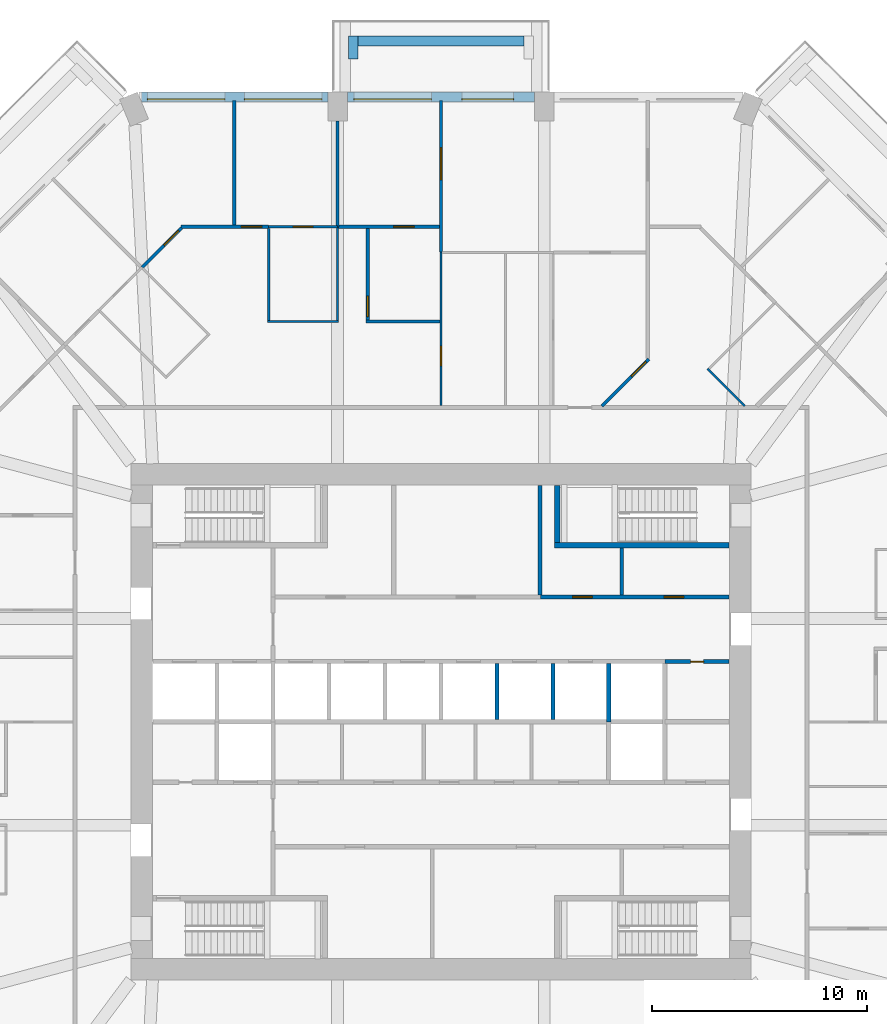
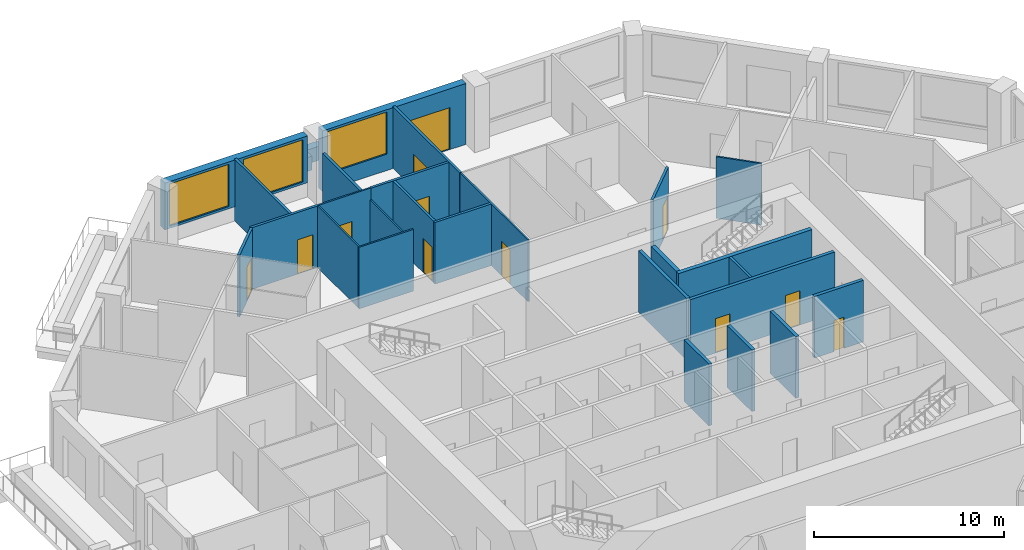
# One storey, part 9 of 13: 28 walls, 12 doors, 3 windows, 15 openings.
"""IFC4 building model written with IfcOpenShell, lengths in metres."""

from ifc_helpers import new_model, si_unit, direction, frame, frame_2d, origin, place, context, subcontext, project, spatial, rectangle, extrude, material, layer, layer_set, type_object, element, fill, save


model = new_model("IFC4")

# Units and contexts
model_context = context("Model", 3, precision=1e-05, world=origin(), true_north=direction((0.0, 1.0)))
body_context = subcontext(model_context, "Body", "Model", "MODEL_VIEW")
ifc_project = project(units=[si_unit("LENGTHUNIT", "METRE"), si_unit("AREAUNIT", "SQUARE_METRE"), si_unit("VOLUMEUNIT", "CUBIC_METRE"), si_unit("PLANEANGLEUNIT", "RADIAN"), si_unit("MASSUNIT", "GRAM", prefix="KILO")], contexts=[model_context])

# Site, building, storey
site_placement = place(None, origin())
site = spatial("IfcSite", under=ifc_project, at=site_placement, CompositionType="ELEMENT")
building_placement = place(site_placement, origin())
building = spatial("IfcBuilding", under=site, at=building_placement, Name="Msitu Wima Residences", CompositionType="ELEMENT")
storey_placement = place(building_placement, frame((0.0, 0.0, 29.699951171875)))
storey = spatial("IfcBuildingStorey", under=building, at=storey_placement, Name="L06", CompositionType="ELEMENT", Elevation=29.699951171875)

# Walls
ifc_material_1 = material(Name="Facing brick")
ifc_layer_1 = layer(ifc_material_1, 0.06494140625, Name="Facing brick")
ifc_material_2 = material(Name="Concrete C40/50", Category="concrete")
ifc_layer_2 = layer(ifc_material_2, 0.156005859375, Name="Concrete C40/50")
ifc_material_3 = material(Name="Waterproofing membrane")
ifc_layer_3 = layer(ifc_material_3, 0.00390625, Name="Waterproofing membrane")
ifc_material_4 = material(Name="Planting soil and planting")
ifc_layer_4 = layer(ifc_material_4, 0.22509765625, Name="Planting soil and planting")
ifc_layer_set_1 = layer_set([ifc_layer_1, ifc_layer_2, ifc_layer_3, ifc_layer_4], Name="Concrete C40/50")
wall_type_1 = type_object("IfcWallType", Name="Balcony planter PLANTER PL450", PredefinedType="USERDEFINED", material=ifc_layer_set_1)
wall_1_placement = place(storey_placement, frame((3.85009765625, 31.625, 0.0), z_axis=(0.0, 0.0, 1.0), x_axis=(-1.0, 0.0, 0.0)))
element("IfcWall", 1, at=wall_1_placement, inside=storey, type_object=wall_type_1, Name="Balcony planter N1 L06", ObjectType="PLANTER", PredefinedType="USERDEFINED", context=body_context, shape_type="SweptSolid", body=[
    extrude(rectangle(XDim=7.7001953125, YDim=0.449951171875, at=frame_2d((3.85009765625, 0.0))), origin(), (0.0, 0.0, 1.0), 0.900146484375),
])
wall_2_placement = place(storey_placement, frame((-4.074951171875, 30.800048828125, 0.0), z_axis=(0.0, 0.0, 1.0), x_axis=(0.0, 1.0, 0.0)))
element("IfcWall", 2, at=wall_2_placement, inside=storey, type_object=wall_type_1, Name="Balcony planter N1 L06", ObjectType="PLANTER", PredefinedType="USERDEFINED", context=body_context, shape_type="SweptSolid", body=[
    extrude(rectangle(XDim=1.050048828125, YDim=0.449951171875, at=frame_2d((0.52490234375, 0.0))), origin(), (0.0, 0.0, 1.0), 0.900146484375),
])

# Wall, openings, door, window
ifc_material_5 = material(Name="Brick (red buff mix)", Category="masonry")
ifc_layer_5 = layer(ifc_material_5, 0.449951171875)
ifc_layer_set_2 = layer_set([ifc_layer_5], Name="Brick (red buff mix)")
wall_type_2 = type_object("IfcWallType", Name="Brick infill wall BW450", PredefinedType="SOLIDWALL", material=ifc_layer_set_2)
wall_3_placement = place(storey_placement, frame((4.35009765625, 29.02490234375, 0.0), z_axis=(0.0, 0.0, 1.0), x_axis=(-1.0, 0.0, 0.0)))
wall_3 = element("IfcWall", 3, at=wall_3_placement, inside=storey, type_object=wall_type_2, Name="Brick infill wall L06 N1", PredefinedType="SOLIDWALL", context=body_context, shape_type="SweptSolid", body=[
    extrude(rectangle(XDim=8.7001953125, YDim=0.449951171875, at=frame_2d((4.35009765625, 0.0))), origin(), (0.0, 0.0, 1.0), 3.900146484375),
])
opening_1_placement = place(wall_3_placement, frame((0.97509765625, 0.0, 0.0)))
opening_1 = element("IfcOpeningElement", 4, at=opening_1_placement, cuts=wall_3, Name="Opening D05-07.003", PredefinedType="OPENING", context=body_context, shape_type="SweptSolid", body=[
    extrude(rectangle(XDim=2.39990234375, YDim=2.699951171875, at=frame_2d((1.199951171875, 1.35009765625))), frame((0.0, 0.23486328125, 0.0), z_axis=(0.0, -1.0, 0.0), x_axis=(1.0, 0.0, 0.0)), (0.0, 0.0, 1.0), 0.469970703125),
])
opening_2_placement = place(wall_3_placement, frame((4.800048828125, 0.0, 1.050048828125)))
opening_2 = element("IfcOpeningElement", 5, at=opening_2_placement, cuts=wall_3, Name="Opening W05-07.007", PredefinedType="OPENING", context=body_context, shape_type="SweptSolid", body=[
    extrude(rectangle(XDim=3.60009765625, YDim=2.699951171875, at=frame_2d((1.800048828125, 1.35009765625))), frame((0.0, 0.23486328125, 0.0), z_axis=(0.0, -1.0, 0.0), x_axis=(1.0, 0.0, 0.0)), (0.0, 0.0, 1.0), 0.469970703125),
])
ifc_material_6 = material(Name="Anodised aluminium, bronze finish, clear low-emissivity double glazing", Category="aluminium")
door_type_1 = type_object("IfcDoorType", Name="Balcony door D2400x2700", OperationType="SLIDING_TO_LEFT", PredefinedType="DOOR", material=ifc_material_6)
door_1_placement = place(opening_1_placement, origin())
door_1 = element("IfcDoor", 6, at=door_1_placement, inside=storey, type_object=door_type_1, Name="Balcony door L06 N1", OperationType="SINGLE_SWING_LEFT", OverallHeight=2.699951171875, OverallWidth=2.39990234375, PredefinedType="DOOR", context=body_context, shape_type="SweptSolid", body=[
    extrude(rectangle(XDim=2.39990234375, YDim=2.699951171875, at=frame_2d((1.199951171875, 1.35009765625))), frame((0.0, 0.1298828125, 0.0), z_axis=(0.0, -1.0, 0.0), x_axis=(1.0, 0.0, 0.0)), (0.0, 0.0, 1.0), 0.050048828125),
])
fill(opening_1, door_1)
window_type = type_object("IfcWindowType", Name="Window W3600x2700", PartitioningType="DOUBLE_PANEL_VERTICAL", PredefinedType="WINDOW", material=ifc_material_6)
window_1_placement = place(opening_2_placement, origin())
window_1 = element("IfcWindow", 7, at=window_1_placement, inside=storey, type_object=window_type, Name="Window L06 N1.2", OverallHeight=2.699951171875, OverallWidth=3.60009765625, PartitioningType="SINGLE_PANEL", PredefinedType="WINDOW", context=body_context, shape_type="SweptSolid", body=[
    extrude(rectangle(XDim=3.60009765625, YDim=2.699951171875, at=frame_2d((1.800048828125, 1.35009765625))), frame((0.0, 0.135009765625, 0.0), z_axis=(0.0, -1.0, 0.0), x_axis=(1.0, 0.0, 0.0)), (0.0, 0.0, 1.0), 0.06005859375),
])
fill(opening_2, window_1)

# Wall, openings, windows
wall_4_placement = place(storey_placement, frame((-5.25, 29.02490234375, 0.900146484375), z_axis=(0.0, 0.0, 1.0), x_axis=(-1.0, 0.0, 0.0)))
wall_4 = element("IfcWall", 8, at=wall_4_placement, inside=storey, type_object=wall_type_2, Name="Brick infill wall L06 N2", PredefinedType="SOLIDWALL", context=body_context, shape_type="SweptSolid", body=[
    extrude(rectangle(XDim=8.662841796875, YDim=0.449951171875, at=frame_2d((4.33154296875, 0.0))), origin(), (0.0, 0.0, 1.0), 3.0),
])
opening_3_placement = place(wall_4_placement, frame((0.281494140625, 0.0, 0.14990234375)))
opening_3 = element("IfcOpeningElement", 9, at=opening_3_placement, cuts=wall_4, Name="Opening W05-07.008", PredefinedType="OPENING", context=body_context, shape_type="SweptSolid", body=[
    extrude(rectangle(XDim=3.60009765625, YDim=2.699951171875, at=frame_2d((1.800048828125, 1.35009765625))), frame((0.0, 0.23486328125, 0.0), z_axis=(0.0, -1.0, 0.0), x_axis=(1.0, 0.0, 0.0)), (0.0, 0.0, 1.0), 0.469970703125),
])
opening_4_placement = place(wall_4_placement, frame((4.781494140625, 0.0, 0.14990234375)))
opening_4 = element("IfcOpeningElement", 10, at=opening_4_placement, cuts=wall_4, Name="Opening W05-07.009", PredefinedType="OPENING", context=body_context, shape_type="SweptSolid", body=[
    extrude(rectangle(XDim=3.60009765625, YDim=2.699951171875, at=frame_2d((1.800048828125, 1.35009765625))), frame((0.0, 0.23486328125, 0.0), z_axis=(0.0, -1.0, 0.0), x_axis=(1.0, 0.0, 0.0)), (0.0, 0.0, 1.0), 0.469970703125),
])
window_2_placement = place(opening_3_placement, origin())
window_2 = element("IfcWindow", 11, at=window_2_placement, inside=storey, type_object=window_type, Name="Window L06 N2.1", OverallHeight=2.699951171875, OverallWidth=3.60009765625, PartitioningType="SINGLE_PANEL", PredefinedType="WINDOW", context=body_context, shape_type="SweptSolid", body=[
    extrude(rectangle(XDim=3.60009765625, YDim=2.699951171875, at=frame_2d((1.800048828125, 1.35009765625))), frame((0.0, 0.135009765625, 0.0), z_axis=(0.0, -1.0, 0.0), x_axis=(1.0, 0.0, 0.0)), (0.0, 0.0, 1.0), 0.06005859375),
])
fill(opening_3, window_2)
window_3_placement = place(opening_4_placement, origin())
window_3 = element("IfcWindow", 12, at=window_3_placement, inside=storey, type_object=window_type, Name="Window L06 N2.2", OverallHeight=2.699951171875, OverallWidth=3.60009765625, PartitioningType="SINGLE_PANEL", PredefinedType="WINDOW", context=body_context, shape_type="SweptSolid", body=[
    extrude(rectangle(XDim=3.60009765625, YDim=2.699951171875, at=frame_2d((1.800048828125, 1.35009765625))), frame((0.0, 0.135009765625, 0.0), z_axis=(0.0, -1.0, 0.0), x_axis=(1.0, 0.0, 0.0)), (0.0, 0.0, 1.0), 0.06005859375),
])
fill(opening_4, window_3)

# Wall, openings, doors
ifc_material_7 = material(Name="Plaster")
ifc_layer_6 = layer(ifc_material_7, 0.011962890625, Name="Plaster")
ifc_material_8 = material(Name="Concrete blockwork", Category="masonry")
ifc_layer_7 = layer(ifc_material_8, 0.176025390625, Name="Concrete blockwork")
ifc_layer_8 = layer(ifc_material_7, 0.011962890625, Name="Plaster")
ifc_layer_set_3 = layer_set([ifc_layer_6, ifc_layer_7, ifc_layer_8], Name="Concrete blockwork")
wall_type_3 = type_object("IfcWallType", Name="Corridor wall FW200", PredefinedType="PARTITIONING", material=ifc_layer_set_3)
wall_5_placement = place(storey_placement, frame((4.6201171875, 5.800048828125, 0.0), z_axis=(0.0, 0.0, 1.0), x_axis=(1.0, 0.0, 0.0)))
wall_5 = element("IfcWall", 13, at=wall_5_placement, inside=storey, type_object=wall_type_3, Name="Corridor wall", PredefinedType="PARTITIONING", context=body_context, shape_type="SweptSolid", body=[
    extrude(rectangle(XDim=8.75, YDim=0.199951171875, at=frame_2d((4.375, 0.0))), origin(), (0.0, 0.0, 1.0), 3.949951171875),
])
opening_5_placement = place(wall_5_placement, frame((1.5, 0.0, 0.0)))
opening_5 = element("IfcOpeningElement", 14, at=opening_5_placement, cuts=wall_5, Name="Opening D05-07.022", PredefinedType="OPENING", context=body_context, shape_type="SweptSolid", body=[
    extrude(rectangle(XDim=0.89990234375, YDim=2.199951171875, at=frame_2d((0.449951171875, 1.10009765625))), frame((0.0, 0.10986328125, 0.0), z_axis=(0.0, -1.0, 0.0), x_axis=(1.0, 0.0, 0.0)), (0.0, 0.0, 1.0), 0.219970703125),
])
opening_6_placement = place(wall_5_placement, frame((5.75, 0.0, 0.0)))
opening_6 = element("IfcOpeningElement", 15, at=opening_6_placement, cuts=wall_5, Name="Opening D05-07.023", PredefinedType="OPENING", context=body_context, shape_type="SweptSolid", body=[
    extrude(rectangle(XDim=0.89990234375, YDim=2.199951171875, at=frame_2d((0.449951171875, 1.10009765625))), frame((0.0, 0.10986328125, 0.0), z_axis=(0.0, -1.0, 0.0), x_axis=(1.0, 0.0, 0.0)), (0.0, 0.0, 1.0), 0.219970703125),
])
ifc_material_9 = material(Name="Timber flush door", Category="wood")
door_type_2 = type_object("IfcDoorType", Name="Service door D05 900x2200", OperationType="SINGLE_SWING_LEFT", PredefinedType="DOOR", material=ifc_material_9)
door_2_placement = place(opening_5_placement, origin())
door_2 = element("IfcDoor", 16, at=door_2_placement, inside=storey, type_object=door_type_2, Name="Service door", OperationType="SINGLE_SWING_RIGHT", OverallHeight=2.199951171875, OverallWidth=0.89990234375, PredefinedType="DOOR", context=body_context, shape_type="SweptSolid", body=[
    extrude(rectangle(XDim=0.89990234375, YDim=2.199951171875, at=frame_2d((0.449951171875, 1.10009765625))), frame((0.0, 0.02490234375, 0.0), z_axis=(0.0, -1.0, 0.0), x_axis=(1.0, 0.0, 0.0)), (0.0, 0.0, 1.0), 0.050048828125),
])
fill(opening_5, door_2)
door_3_placement = place(opening_6_placement, origin())
door_3 = element("IfcDoor", 17, at=door_3_placement, inside=storey, type_object=door_type_2, Name="Service door", OperationType="SINGLE_SWING_LEFT", OverallHeight=2.199951171875, OverallWidth=0.89990234375, PredefinedType="DOOR", context=body_context, shape_type="SweptSolid", body=[
    extrude(rectangle(XDim=0.89990234375, YDim=2.199951171875, at=frame_2d((0.449951171875, 1.10009765625))), frame((0.0, 0.02490234375, 0.0), z_axis=(0.0, -1.0, 0.0), x_axis=(1.0, 0.0, 0.0)), (0.0, 0.0, 1.0), 0.050048828125),
])
fill(opening_6, door_3)

# Wall, opening, door
ifc_layer_9 = layer(ifc_material_7, 0.011962890625, Name="Plaster")
ifc_layer_10 = layer(ifc_material_8, 0.1259765625, Name="Concrete blockwork")
ifc_layer_11 = layer(ifc_material_7, 0.011962890625, Name="Plaster")
ifc_layer_set_4 = layer_set([ifc_layer_9, ifc_layer_10, ifc_layer_11], Name="Concrete blockwork")
wall_type_4 = type_object("IfcWallType", Name="Partition PW150", PredefinedType="PARTITIONING", material=ifc_layer_set_4)
wall_6_placement = place(storey_placement, frame((-13.884521484375, 21.113037109375, 0.0), z_axis=(0.0, 0.0, 1.0), x_axis=(0.707106781187, 0.707106781187, 0.0)))
wall_6 = element("IfcWall", 18, at=wall_6_placement, inside=storey, type_object=wall_type_4, Name="Partition", PredefinedType="PARTITIONING", context=body_context, shape_type="SweptSolid", body=[
    extrude(rectangle(XDim=2.59375, YDim=0.14990234375, at=frame_2d((1.296875, 0.0))), origin(), (0.0, 0.0, 1.0), 3.949951171875),
])
opening_7_placement = place(wall_6_placement, frame((1.449951171875, 0.0, 0.0)))
opening_7 = element("IfcOpeningElement", 19, at=opening_7_placement, cuts=wall_6, Name="Opening D05-07.062", PredefinedType="OPENING", context=body_context, shape_type="SweptSolid", body=[
    extrude(rectangle(XDim=0.949951171875, YDim=2.199951171875, at=frame_2d((0.47509765625, 1.10009765625))), frame((0.0, 0.0849609375, 0.0), z_axis=(0.0, -1.0, 0.0), x_axis=(1.0, 0.0, 0.0)), (0.0, 0.0, 1.0), 0.169921875),
])
door_type_3 = type_object("IfcDoorType", Name="Room door D12 950x2200", OperationType="SINGLE_SWING_LEFT", PredefinedType="DOOR", material=ifc_material_9)
door_4_placement = place(opening_7_placement, origin())
door_4 = element("IfcDoor", 20, at=door_4_placement, inside=storey, type_object=door_type_3, Name="Room door", OperationType="SINGLE_SWING_LEFT", OverallHeight=2.199951171875, OverallWidth=0.949951171875, PredefinedType="DOOR", context=body_context, shape_type="SweptSolid", body=[
    extrude(rectangle(XDim=0.949951171875, YDim=2.199951171875, at=frame_2d((0.47509765625, 1.10009765625))), frame((0.0, 0.02490234375, 0.0), z_axis=(0.0, -1.0, 0.0), x_axis=(1.0, 0.0, 0.0)), (0.0, 0.0, 1.0), 0.050048828125),
])
fill(opening_7, door_4)

wall_7_placement = place(storey_placement, frame((-12.072509765625, 23.0, 0.0), z_axis=(0.0, 0.0, 1.0), x_axis=(1.0, 0.0, 0.0)))
wall_7 = element("IfcWall", 21, at=wall_7_placement, inside=storey, type_object=wall_type_4, Name="Partition", PredefinedType="PARTITIONING", context=body_context, shape_type="SweptSolid", body=[
    extrude(rectangle(XDim=4.072509765625, YDim=0.14990234375, at=frame_2d((2.0361328125, 0.0))), origin(), (0.0, 0.0, 1.0), 3.949951171875),
])
opening_8_placement = place(wall_7_placement, frame((2.800048828125, 0.0, 0.0)))
opening_8 = element("IfcOpeningElement", 22, at=opening_8_placement, cuts=wall_7, Name="Opening D05-07.059", PredefinedType="OPENING", context=body_context, shape_type="SweptSolid", body=[
    extrude(rectangle(XDim=0.949951171875, YDim=2.199951171875, at=frame_2d((0.47509765625, 1.10009765625))), frame((0.0, 0.0849609375, 0.0), z_axis=(0.0, -1.0, 0.0), x_axis=(1.0, 0.0, 0.0)), (0.0, 0.0, 1.0), 0.169921875),
])
door_5_placement = place(opening_8_placement, origin())
door_5 = element("IfcDoor", 23, at=door_5_placement, inside=storey, type_object=door_type_3, Name="Room door", OperationType="SINGLE_SWING_LEFT", OverallHeight=2.199951171875, OverallWidth=0.949951171875, PredefinedType="DOOR", context=body_context, shape_type="SweptSolid", body=[
    extrude(rectangle(XDim=0.949951171875, YDim=2.199951171875, at=frame_2d((0.47509765625, 1.10009765625))), frame((0.0, 0.02490234375, 0.0), z_axis=(0.0, -1.0, 0.0), x_axis=(1.0, 0.0, 0.0)), (0.0, 0.0, 1.0), 0.050048828125),
])
fill(opening_8, door_5)

# Walls
wall_8_placement = place(storey_placement, frame((-9.60009765625, 23.074951171875, 0.0), z_axis=(0.0, 0.0, 1.0), x_axis=(0.0, 1.0, 0.0)))
element("IfcWall", 24, at=wall_8_placement, inside=storey, type_object=wall_type_4, Name="Partition", PredefinedType="PARTITIONING", context=body_context, shape_type="SweptSolid", body=[
    extrude(rectangle(XDim=5.780029296875, YDim=0.14990234375, at=frame_2d((2.89013671875, 0.0))), origin(), (0.0, 0.0, 1.0), 3.949951171875),
])
wall_9_placement = place(storey_placement, frame((-4.800048828125, 22.97998046875, 0.0), z_axis=(0.0, 0.0, 1.0), x_axis=(0.0, 1.0, 0.0)))
element("IfcWall", 25, at=wall_9_placement, inside=storey, type_object=wall_type_4, Name="Partition", PredefinedType="PARTITIONING", context=body_context, shape_type="SweptSolid", body=[
    extrude(rectangle(XDim=4.919921875, YDim=0.14990234375, at=frame_2d((2.4599609375, 0.0))), origin(), (0.0, 0.0, 1.0), 3.199951171875),
])

# Wall, opening, door
wall_10_placement = place(storey_placement, frame((-4.800048828125, 23.0, 0.0), z_axis=(0.0, 0.0, 1.0), x_axis=(1.0, 0.0, 0.0)))
wall_10 = element("IfcWall", 26, at=wall_10_placement, inside=storey, type_object=wall_type_4, Name="Partition", PredefinedType="PARTITIONING", context=body_context, shape_type="SweptSolid", body=[
    extrude(rectangle(XDim=4.72509765625, YDim=0.14990234375, at=frame_2d((2.362548828125, 0.0))), origin(), (0.0, 0.0, 1.0), 3.949951171875),
])
opening_9_placement = place(wall_10_placement, frame((2.60009765625, 0.0, 0.0)))
opening_9 = element("IfcOpeningElement", 27, at=opening_9_placement, cuts=wall_10, Name="Opening D05-07.054", PredefinedType="OPENING", context=body_context, shape_type="SweptSolid", body=[
    extrude(rectangle(XDim=0.949951171875, YDim=2.199951171875, at=frame_2d((0.47509765625, 1.10009765625))), frame((0.0, 0.0849609375, 0.0), z_axis=(0.0, -1.0, 0.0), x_axis=(1.0, 0.0, 0.0)), (0.0, 0.0, 1.0), 0.169921875),
])
door_6_placement = place(opening_9_placement, origin())
door_6 = element("IfcDoor", 28, at=door_6_placement, inside=storey, type_object=door_type_3, Name="Room door", OperationType="SINGLE_SWING_RIGHT", OverallHeight=2.199951171875, OverallWidth=0.949951171875, PredefinedType="DOOR", context=body_context, shape_type="SweptSolid", body=[
    extrude(rectangle(XDim=0.949951171875, YDim=2.199951171875, at=frame_2d((0.47509765625, 1.10009765625))), frame((0.0, 0.02490234375, 0.0), z_axis=(0.0, -1.0, 0.0), x_axis=(1.0, 0.0, 0.0)), (0.0, 0.0, 1.0), 0.050048828125),
])
fill(opening_9, door_6)

wall_11_placement = place(storey_placement, frame((-3.39990234375, 18.675048828125, 0.0), z_axis=(0.0, 0.0, 1.0), x_axis=(0.0, 1.0, 0.0)))
wall_11 = element("IfcWall", 29, at=wall_11_placement, inside=storey, type_object=wall_type_4, Name="Partition", PredefinedType="PARTITIONING", context=body_context, shape_type="SweptSolid", body=[
    extrude(rectangle(XDim=4.25, YDim=0.14990234375, at=frame_2d((2.125, 0.0))), origin(), (0.0, 0.0, 1.0), 3.949951171875),
])
opening_10_placement = place(wall_11_placement, frame((0.14990234375, 0.0, 0.0)))
opening_10 = element("IfcOpeningElement", 30, at=opening_10_placement, cuts=wall_11, Name="Opening D05-07.056", PredefinedType="OPENING", context=body_context, shape_type="SweptSolid", body=[
    extrude(rectangle(XDim=0.949951171875, YDim=2.199951171875, at=frame_2d((0.47509765625, 1.10009765625))), frame((0.0, 0.0849609375, 0.0), z_axis=(0.0, -1.0, 0.0), x_axis=(1.0, 0.0, 0.0)), (0.0, 0.0, 1.0), 0.169921875),
])
door_7_placement = place(opening_10_placement, origin())
door_7 = element("IfcDoor", 31, at=door_7_placement, inside=storey, type_object=door_type_3, Name="Room door", OperationType="SINGLE_SWING_RIGHT", OverallHeight=2.199951171875, OverallWidth=0.949951171875, PredefinedType="DOOR", context=body_context, shape_type="SweptSolid", body=[
    extrude(rectangle(XDim=0.949951171875, YDim=2.199951171875, at=frame_2d((0.47509765625, 1.10009765625))), frame((0.0, 0.02490234375, 0.0), z_axis=(0.0, -1.0, 0.0), x_axis=(1.0, 0.0, 0.0)), (0.0, 0.0, 1.0), 0.050048828125),
])
fill(opening_10, door_7)

# Wall
wall_12_placement = place(storey_placement, frame((-3.47509765625, 18.60009765625, 0.0), z_axis=(0.0, 0.0, 1.0), x_axis=(1.0, 0.0, 0.0)))
element("IfcWall", 32, at=wall_12_placement, inside=storey, type_object=wall_type_4, Name="Partition", PredefinedType="PARTITIONING", context=body_context, shape_type="SweptSolid", body=[
    extrude(rectangle(XDim=3.425048828125, YDim=0.14990234375, at=frame_2d((1.71240234375, 0.0))), origin(), (0.0, 0.0, 1.0), 3.949951171875),
])

# Wall, opening, door
wall_13_placement = place(storey_placement, frame((0.0, 21.820068359375, 0.0), z_axis=(0.0, 0.0, 1.0), x_axis=(0.0, 1.0, 0.0)))
wall_13 = element("IfcWall", 33, at=wall_13_placement, inside=storey, type_object=wall_type_4, Name="Partition", PredefinedType="PARTITIONING", context=body_context, shape_type="SweptSolid", body=[
    extrude(rectangle(XDim=7.034912109375, YDim=0.14990234375, at=frame_2d((3.517578125, 0.0))), origin(), (0.0, 0.0, 1.0), 3.949951171875),
])
opening_11_placement = place(wall_13_placement, frame((3.35009765625, 0.0, 0.0)))
opening_11 = element("IfcOpeningElement", 34, at=opening_11_placement, cuts=wall_13, Name="Opening D05-07.050", PredefinedType="OPENING", context=body_context, shape_type="SweptSolid", body=[
    extrude(rectangle(XDim=1.5, YDim=2.199951171875, at=frame_2d((0.75, 1.10009765625))), frame((0.0, 0.0849609375, 0.0), z_axis=(0.0, -1.0, 0.0), x_axis=(1.0, 0.0, 0.0)), (0.0, 0.0, 1.0), 0.169921875),
])
ifc_material_10 = material(Name="Timber double door", Category="wood")
door_type_4 = type_object("IfcDoorType", Name="Double door D04 1500x2200", OperationType="DOUBLE_DOOR_SINGLE_SWING", PredefinedType="DOOR", material=ifc_material_10)
door_8_placement = place(opening_11_placement, origin())
door_8 = element("IfcDoor", 35, at=door_8_placement, inside=storey, type_object=door_type_4, Name="Double door", OperationType="DOUBLE_DOOR_SINGLE_SWING", OverallHeight=2.199951171875, OverallWidth=1.5, PredefinedType="DOOR", context=body_context, shape_type="SweptSolid", body=[
    extrude(rectangle(XDim=1.5, YDim=2.199951171875, at=frame_2d((0.75, 1.10009765625))), frame((0.0, 0.02490234375, 0.0), z_axis=(0.0, -1.0, 0.0), x_axis=(1.0, 0.0, 0.0)), (0.0, 0.0, 1.0), 0.050048828125),
])
fill(opening_11, door_8)

wall_14_placement = place(storey_placement, frame((7.470703125, 14.670654296875, 0.0), z_axis=(0.0, 0.0, 1.0), x_axis=(0.707106781187, 0.707106781187, 0.0)))
wall_14 = element("IfcWall", 36, at=wall_14_placement, inside=storey, type_object=wall_type_4, Name="Partition", PredefinedType="PARTITIONING", context=body_context, shape_type="SweptSolid", body=[
    extrude(rectangle(XDim=3.08642578125, YDim=0.14990234375, at=frame_2d((1.543212890625, 0.0))), origin(), (0.0, 0.0, 1.0), 3.949951171875),
])
opening_12_placement = place(wall_14_placement, frame((1.949951171875, 0.0, 0.0)))
opening_12 = element("IfcOpeningElement", 37, at=opening_12_placement, cuts=wall_14, Name="Opening D05-07.047", PredefinedType="OPENING", context=body_context, shape_type="SweptSolid", body=[
    extrude(rectangle(XDim=0.949951171875, YDim=2.199951171875, at=frame_2d((0.47509765625, 1.10009765625))), frame((0.0, 0.0849609375, 0.0), z_axis=(0.0, -1.0, 0.0), x_axis=(1.0, 0.0, 0.0)), (0.0, 0.0, 1.0), 0.169921875),
])
door_9_placement = place(opening_12_placement, origin())
door_9 = element("IfcDoor", 38, at=door_9_placement, inside=storey, type_object=door_type_3, Name="Room door", OperationType="SINGLE_SWING_RIGHT", OverallHeight=2.199951171875, OverallWidth=0.949951171875, PredefinedType="DOOR", context=body_context, shape_type="SweptSolid", body=[
    extrude(rectangle(XDim=0.949951171875, YDim=2.199951171875, at=frame_2d((0.47509765625, 1.10009765625))), frame((0.0, 0.02490234375, 0.0), z_axis=(0.0, -1.0, 0.0), x_axis=(1.0, 0.0, 0.0)), (0.0, 0.0, 1.0), 0.050048828125),
])
fill(opening_12, door_9)

# Walls
wall_15_placement = place(storey_placement, frame((8.39990234375, 5.89990234375, 0.0), z_axis=(0.0, 0.0, 1.0), x_axis=(0.0, 1.0, 0.0)))
element("IfcWall", 39, at=wall_15_placement, inside=storey, type_object=wall_type_4, Name="Partition", PredefinedType="PARTITIONING", context=body_context, shape_type="SweptSolid", body=[
    extrude(rectangle(XDim=2.175048828125, YDim=0.14990234375, at=frame_2d((1.08740234375, 0.0))), origin(), (0.0, 0.0, 1.0), 3.949951171875),
])
ifc_layer_12 = layer(ifc_material_7, 0.011962890625, Name="Plaster")
ifc_material_11 = material(Name="Reinforced concrete blockwork", Category="masonry")
ifc_layer_13 = layer(ifc_material_11, 0.176025390625, Name="Reinforced concrete blockwork")
ifc_layer_14 = layer(ifc_material_7, 0.011962890625, Name="Plaster")
ifc_layer_set_5 = layer_set([ifc_layer_12, ifc_layer_13, ifc_layer_14], Name="Reinforced concrete blockwork")
wall_type_5 = type_object("IfcWallType", Name="Plant and riser wall PL200", PredefinedType="PARTITIONING", material=ifc_layer_set_5)
wall_16_placement = place(storey_placement, frame((4.60009765625, 5.89990234375, 0.0), z_axis=(0.0, 0.0, 1.0), x_axis=(0.0, 1.0, 0.0)))
element("IfcWall", 40, at=wall_16_placement, inside=storey, type_object=wall_type_5, Name="Plant and riser wall", PredefinedType="PARTITIONING", context=body_context, shape_type="SweptSolid", body=[
    extrude(rectangle(XDim=5.070068359375, YDim=0.199951171875, at=frame_2d((2.53515625, 0.0))), origin(), (0.0, 0.0, 1.0), 3.949951171875),
])

# Wall, opening, door
wall_17_placement = place(storey_placement, frame((10.39990234375, 2.800048828125, 0.0), z_axis=(0.0, 0.0, 1.0), x_axis=(1.0, 0.0, 0.0)))
wall_17 = element("IfcWall", 41, at=wall_17_placement, inside=storey, type_object=wall_type_5, Name="Plant and riser wall", PredefinedType="PARTITIONING", context=body_context, shape_type="SweptSolid", body=[
    extrude(rectangle(XDim=2.97021484375, YDim=0.199951171875, at=frame_2d((1.485107421875, 0.0))), origin(), (0.0, 0.0, 1.0), 3.949951171875),
])
opening_13_placement = place(wall_17_placement, frame((1.199951171875, 0.0, 0.0)))
opening_13 = element("IfcOpeningElement", 42, at=opening_13_placement, cuts=wall_17, Name="Opening D05-07.029", PredefinedType="OPENING", context=body_context, shape_type="SweptSolid", body=[
    extrude(rectangle(XDim=0.60009765625, YDim=2.0, at=frame_2d((0.300048828125, 1.0))), frame((0.0, 0.10986328125, 0.0), z_axis=(0.0, -1.0, 0.0), x_axis=(1.0, 0.0, 0.0)), (0.0, 0.0, 1.0), 0.219970703125),
])
ifc_material_12 = material(Name="Steel access door, fire resisting", Category="steel")
door_type_5 = type_object("IfcDoorType", Name="Riser access door D08 600x2000", OperationType="SINGLE_SWING_LEFT", PredefinedType="DOOR", material=ifc_material_12)
door_10_placement = place(opening_13_placement, origin())
door_10 = element("IfcDoor", 43, at=door_10_placement, inside=storey, type_object=door_type_5, Name="Riser access door", OperationType="SINGLE_SWING_RIGHT", OverallHeight=2.0, OverallWidth=0.60009765625, PredefinedType="DOOR", context=body_context, shape_type="SweptSolid", body=[
    extrude(rectangle(XDim=0.60009765625, YDim=2.0, at=frame_2d((0.300048828125, 1.0))), frame((0.0, 0.02490234375, 0.0), z_axis=(0.0, -1.0, 0.0), x_axis=(1.0, 0.0, 0.0)), (0.0, 0.0, 1.0), 0.050048828125),
])
fill(opening_13, door_10)

# Walls
ifc_material_13 = material(Name="Fire-rated board")
ifc_layer_15 = layer(ifc_material_13, 0.02490234375, Name="Fire-rated board")
ifc_material_14 = material(Name="Light-gauge stud framing with mineral wool")
ifc_layer_16 = layer(ifc_material_14, 0.14990234375, Name="Light-gauge stud framing with mineral wool")
ifc_layer_17 = layer(ifc_material_13, 0.02490234375, Name="Fire-rated board")
ifc_layer_set_6 = layer_set([ifc_layer_15, ifc_layer_16, ifc_layer_17], Name="Light-gauge stud framing with mineral wool")
wall_type_6 = type_object("IfcWallType", Name="Shaft wall SH200", PredefinedType="PARTITIONING", material=ifc_layer_set_6)
for number, where, z_axis, x_axis, name in (
    (44, (2.60009765625, 0.10009765625, 0.0), (0.0, 0.0, 1.0), (0.0, 1.0, 0.0), "Shaft wall"),
    (45, (5.199951171875, 0.10009765625, 0.0), (0.0, 0.0, 1.0), (0.0, 1.0, 0.0), "Shaft wall"),
):
    element("IfcWall", number, at=place(storey_placement, frame(where, z_axis=z_axis, x_axis=x_axis)), inside=storey, type_object=wall_type_6, Name=name, PredefinedType="PARTITIONING", context=body_context, shape_type="SweptSolid", body=[
        extrude(rectangle(XDim=2.599853515625, YDim=0.199951171875, at=frame_2d((1.2998046875, 0.0))), origin(), (0.0, 0.0, 1.0), 3.949951171875),
    ])
wall_18_placement = place(storey_placement, frame((7.800048828125, 0.0, 0.0), z_axis=(0.0, 0.0, 1.0), x_axis=(0.0, 1.0, 0.0)))
element("IfcWall", 46, at=wall_18_placement, inside=storey, type_object=wall_type_6, Name="Shaft wall", PredefinedType="PARTITIONING", context=body_context, shape_type="SweptSolid", body=[
    extrude(rectangle(XDim=2.699951171875, YDim=0.199951171875, at=frame_2d((1.35009765625, 0.0))), origin(), (0.0, 0.0, 1.0), 3.949951171875),
])
ifc_material_15 = material(Name="Concrete C50/60", Category="concrete")
ifc_layer_18 = layer(ifc_material_15, 0.25)
ifc_layer_set_7 = layer_set([ifc_layer_18], Name="Concrete C50/60")
wall_type_7 = type_object("IfcWallType", Name="Stair enclosure wall SW250", PredefinedType="SHEAR", material=ifc_layer_set_7)
wall_19_placement = place(storey_placement, frame((5.39990234375, 8.324951171875, 0.0), z_axis=(0.0, 0.0, 1.0), x_axis=(0.0, 1.0, 0.0)))
element("IfcWall", 47, at=wall_19_placement, inside=storey, type_object=wall_type_7, Name="Stair enclosure wall", PredefinedType="SHEAR", context=body_context, shape_type="SweptSolid", body=[
    extrude(rectangle(XDim=2.64501953125, YDim=0.25, at=frame_2d((1.322509765625, 0.0))), origin(), (0.0, 0.0, 1.0), 3.949951171875),
])
wall_20_placement = place(storey_placement, frame((5.27490234375, 8.199951171875, 0.0), z_axis=(0.0, 0.0, 1.0), x_axis=(1.0, 0.0, 0.0)))
element("IfcWall", 48, at=wall_20_placement, inside=storey, type_object=wall_type_7, Name="Stair enclosure wall", PredefinedType="SHEAR", context=body_context, shape_type="SweptSolid", body=[
    extrude(rectangle(XDim=8.09521484375, YDim=0.25, at=frame_2d((4.047607421875, 0.0))), origin(), (0.0, 0.0, 1.0), 3.949951171875),
])

# Wall, opening, door
ifc_material_16 = material(Name="Ceramic tiles")
ifc_layer_19 = layer(ifc_material_16, 0.008056640625, Name="Ceramic tiles")
ifc_material_17 = material(Name="Moisture-resistant board")
ifc_layer_20 = layer(ifc_material_17, 0.012451171875, Name="Moisture-resistant board")
ifc_layer_21 = layer(ifc_material_14, 0.06689453125, Name="Light-gauge stud framing with mineral wool")
ifc_layer_22 = layer(ifc_material_17, 0.012451171875, Name="Moisture-resistant board")
ifc_layer_set_8 = layer_set([ifc_layer_19, ifc_layer_20, ifc_layer_21, ifc_layer_22], Name="Light-gauge stud framing with mineral wool")
wall_type_8 = type_object("IfcWallType", Name="Wet wall PW100", PredefinedType="PARTITIONING", material=ifc_layer_set_8)
wall_21_placement = place(storey_placement, frame((-8.0, 23.0, 0.0), z_axis=(0.0, 0.0, 1.0), x_axis=(1.0, 0.0, 0.0)))
wall_21 = element("IfcWall", 49, at=wall_21_placement, inside=storey, type_object=wall_type_8, Name="Wet wall", PredefinedType="PARTITIONING", context=body_context, shape_type="SweptSolid", body=[
    extrude(rectangle(XDim=3.199951171875, YDim=0.10009765625, at=frame_2d((1.60009765625, 0.0))), origin(), (0.0, 0.0, 1.0), 3.949951171875),
])
opening_14_placement = place(wall_21_placement, frame((1.14990234375, 0.0, 0.0)))
opening_14 = element("IfcOpeningElement", 50, at=opening_14_placement, cuts=wall_21, Name="Opening D05-07.060", PredefinedType="OPENING", context=body_context, shape_type="SweptSolid", body=[
    extrude(rectangle(XDim=0.89990234375, YDim=2.199951171875, at=frame_2d((0.449951171875, 1.10009765625))), frame((0.0, 0.06005859375, 0.0), z_axis=(0.0, -1.0, 0.0), x_axis=(1.0, 0.0, 0.0)), (0.0, 0.0, 1.0), 0.1201171875),
])
ifc_material_18 = material(Name="Timber flush door, moisture resistant", Category="wood")
door_type_6 = type_object("IfcDoorType", Name="Bathroom door D03 900x2200", OperationType="SINGLE_SWING_LEFT", PredefinedType="DOOR", material=ifc_material_18)
door_11_placement = place(opening_14_placement, origin())
door_11 = element("IfcDoor", 51, at=door_11_placement, inside=storey, type_object=door_type_6, Name="Bathroom door", OperationType="SINGLE_SWING_RIGHT", OverallHeight=2.199951171875, OverallWidth=0.89990234375, PredefinedType="DOOR", context=body_context, shape_type="SweptSolid", body=[
    extrude(rectangle(XDim=0.89990234375, YDim=2.199951171875, at=frame_2d((0.449951171875, 1.10009765625))), frame((0.0, 0.02490234375, 0.0), z_axis=(0.0, -1.0, 0.0), x_axis=(1.0, 0.0, 0.0)), (0.0, 0.0, 1.0), 0.050048828125),
])
fill(opening_14, door_11)

# Walls
wall_22_placement = place(storey_placement, frame((-8.0, 18.64990234375, 0.0), z_axis=(0.0, 0.0, 1.0), x_axis=(0.0, 1.0, 0.0)))
element("IfcWall", 52, at=wall_22_placement, inside=storey, type_object=wall_type_8, Name="Wet wall", PredefinedType="PARTITIONING", context=body_context, shape_type="SweptSolid", body=[
    extrude(rectangle(XDim=4.275146484375, YDim=0.10009765625, at=frame_2d((2.1376953125, 0.0))), origin(), (0.0, 0.0, 1.0), 3.949951171875),
])
wall_23_placement = place(storey_placement, frame((-8.050048828125, 18.60009765625, 0.0), z_axis=(0.0, 0.0, 1.0), x_axis=(1.0, 0.0, 0.0)))
element("IfcWall", 53, at=wall_23_placement, inside=storey, type_object=wall_type_8, Name="Wet wall", PredefinedType="PARTITIONING", context=body_context, shape_type="SweptSolid", body=[
    extrude(rectangle(XDim=3.300048828125, YDim=0.10009765625, at=frame_2d((1.64990234375, 0.0))), origin(), (0.0, 0.0, 1.0), 3.949951171875),
])
wall_24_placement = place(storey_placement, frame((-4.800048828125, 18.64990234375, 0.0), z_axis=(0.0, 0.0, 1.0), x_axis=(0.0, 1.0, 0.0)))
element("IfcWall", 54, at=wall_24_placement, inside=storey, type_object=wall_type_8, Name="Wet wall", PredefinedType="PARTITIONING", context=body_context, shape_type="SweptSolid", body=[
    extrude(rectangle(XDim=4.330078125, YDim=0.10009765625, at=frame_2d((2.1650390625, 0.0))), origin(), (0.0, 0.0, 1.0), 3.199951171875),
])

# Wall, opening, door
wall_25_placement = place(storey_placement, frame((0.0, 14.699951171875, 0.0), z_axis=(0.0, 0.0, 1.0), x_axis=(0.0, 1.0, 0.0)))
wall_25 = element("IfcWall", 55, at=wall_25_placement, inside=storey, type_object=wall_type_8, Name="Wet wall", PredefinedType="PARTITIONING", context=body_context, shape_type="SweptSolid", body=[
    extrude(rectangle(XDim=7.1201171875, YDim=0.10009765625, at=frame_2d((3.56005859375, 0.0))), origin(), (0.0, 0.0, 1.0), 3.949951171875),
])
opening_15_placement = place(wall_25_placement, frame((1.85009765625, 0.0, 0.0)))
opening_15 = element("IfcOpeningElement", 56, at=opening_15_placement, cuts=wall_25, Name="Opening D05-07.061", PredefinedType="OPENING", context=body_context, shape_type="SweptSolid", body=[
    extrude(rectangle(XDim=0.89990234375, YDim=2.199951171875, at=frame_2d((0.449951171875, 1.10009765625))), frame((0.0, 0.06005859375, 0.0), z_axis=(0.0, -1.0, 0.0), x_axis=(1.0, 0.0, 0.0)), (0.0, 0.0, 1.0), 0.1201171875),
])
door_12_placement = place(opening_15_placement, origin())
door_12 = element("IfcDoor", 57, at=door_12_placement, inside=storey, type_object=door_type_6, Name="Bathroom door", OperationType="SINGLE_SWING_RIGHT", OverallHeight=2.199951171875, OverallWidth=0.89990234375, PredefinedType="DOOR", context=body_context, shape_type="SweptSolid", body=[
    extrude(rectangle(XDim=0.89990234375, YDim=2.199951171875, at=frame_2d((0.449951171875, 1.10009765625))), frame((0.0, 0.02490234375, 0.0), z_axis=(0.0, -1.0, 0.0), x_axis=(1.0, 0.0, 0.0)), (0.0, 0.0, 1.0), 0.050048828125),
])
fill(opening_15, door_12)

# Wall
wall_26_placement = place(storey_placement, frame((12.372314453125, 16.40283203125, 0.0), z_axis=(0.0, 0.0, 1.0), x_axis=(0.707056944574, -0.707156614287, 0.0)))
element("IfcWall", 58, at=wall_26_placement, inside=storey, type_object=wall_type_8, Name="Wet wall", PredefinedType="PARTITIONING", context=body_context, shape_type="SweptSolid", body=[
    extrude(rectangle(XDim=2.449462890625, YDim=0.10009765625, at=frame_2d((1.224609375, 0.0))), origin(), (0.0, 0.0, 1.0), 3.949951171875),
])

save(model, "model.ifc")
